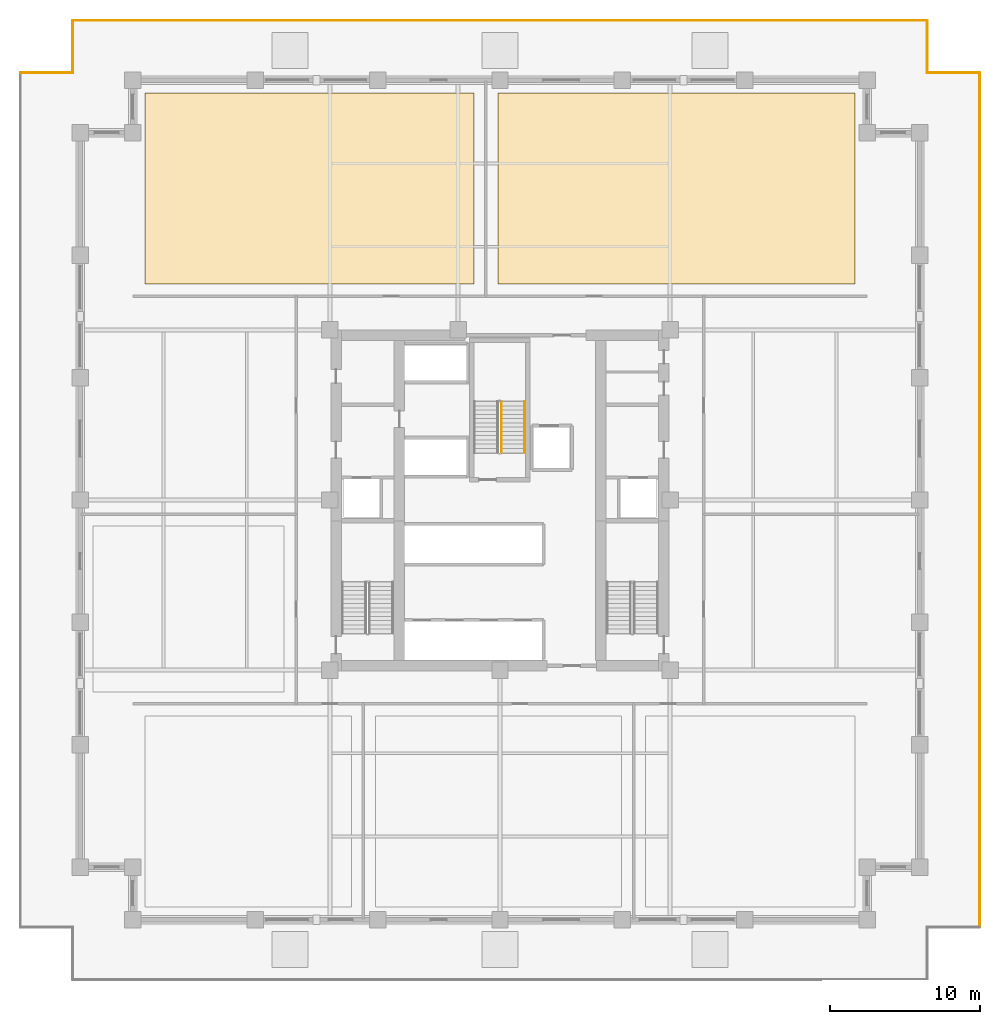
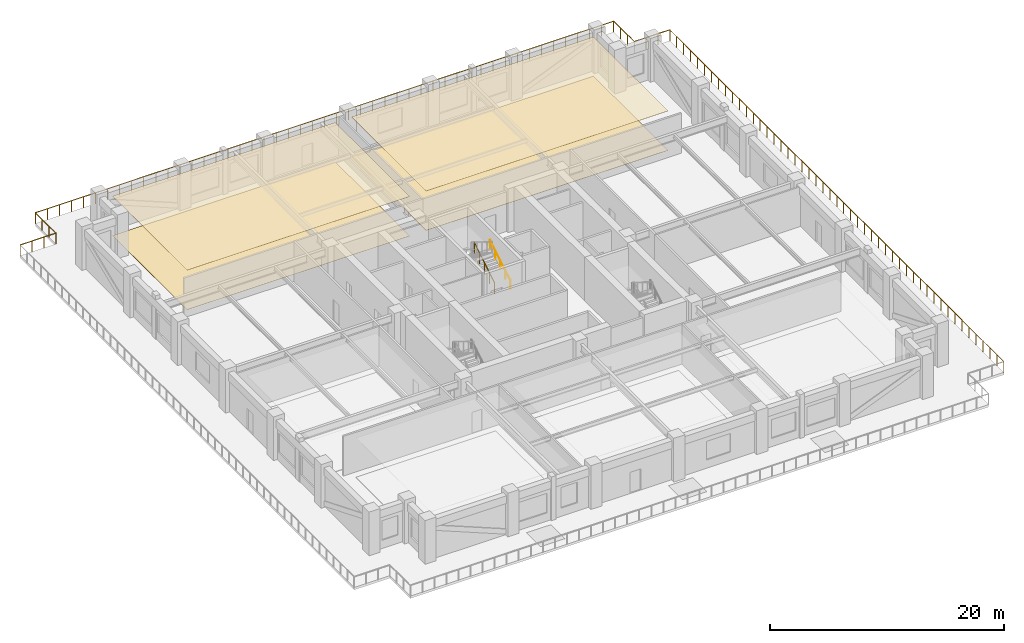
# One storey, part 13 of 13: 8 railings, 4 coverings.
"""IFC4 building model written with IfcOpenShell, lengths in metres."""

from ifc_helpers import new_model, si_unit, direction, frame, origin, origin_2d, place, context, subcontext, project, spatial, polyline, circle, outline, extrude, material, layer, layer_set, type_object, element, save


model = new_model("IFC4")

# Units and contexts
model_context = context("Model", 3, precision=1e-05, world=origin(), true_north=direction((0.0, 1.0)))
body_context = subcontext(model_context, "Body", "Model", "MODEL_VIEW")
ifc_project = project(units=[si_unit("LENGTHUNIT", "METRE"), si_unit("AREAUNIT", "SQUARE_METRE"), si_unit("VOLUMEUNIT", "CUBIC_METRE"), si_unit("PLANEANGLEUNIT", "RADIAN"), si_unit("MASSUNIT", "GRAM", prefix="KILO")], contexts=[model_context])

# Site, building, storey
site_placement = place(None, origin())
site = spatial("IfcSite", under=ifc_project, at=site_placement, CompositionType="ELEMENT")
building_placement = place(site_placement, origin())
building = spatial("IfcBuilding", under=site, at=building_placement, Name="Nhamokura Convention Tower", CompositionType="ELEMENT")
storey_placement = place(building_placement, frame((0.0, 0.0, 34.300048828125)))
storey = spatial("IfcBuildingStorey", under=building, at=storey_placement, Name="L06", CompositionType="ELEMENT", Elevation=34.300048828125)

# Coverings
ifc_material_1 = material(Name="Mineral-fibre acoustic ceiling tile", Category="gypsum")
ifc_layer_1 = layer(ifc_material_1, 0.02490234375)
ifc_layer_set_1 = layer_set([ifc_layer_1], Name="AcousticTileCeiling_25")
covering_type_1 = type_object("IfcCoveringType", Name="AcousticTileCeiling_25", PredefinedType="CEILING", material=ifc_layer_set_1)
covering_1_placement = place(storey_placement, frame((0.0, 0.0, 4.10498046875)))
element("IfcCovering", 1, at=covering_1_placement, inside=storey, type_object=covering_type_1, Name="L06 Suspended Ceiling 04", PredefinedType="CEILING", context=body_context, shape_type="SweptSolid", body=[
    extrude(outline(polyline([(8.300048828125, 46.39990234375), (30.25, 46.39990234375), (30.25, 59.139892578125), (8.300048828125, 59.139892578125), (8.300048828125, 46.39990234375)])), origin(), (0.0, 0.0, 1.0), 0.02490234375),
])
covering_2_placement = place(storey_placement, frame((0.0, 0.0, 4.10498046875)))
element("IfcCovering", 2, at=covering_2_placement, inside=storey, type_object=covering_type_1, Name="L06 Suspended Ceiling 05", PredefinedType="CEILING", context=body_context, shape_type="SweptSolid", body=[
    extrude(outline(polyline([(31.85009765625, 46.39990234375), (55.699951171875, 46.39990234375), (55.699951171875, 59.139892578125), (31.85009765625, 59.139892578125), (31.85009765625, 46.39990234375)])), origin(), (0.0, 0.0, 1.0), 0.02490234375),
])
ifc_material_2 = material(Name="Polished Sabana granite terrazzo", Category="masonry")
ifc_layer_2 = layer(ifc_material_2, 0.030029296875)
ifc_layer_set_2 = layer_set([ifc_layer_2], Name="SabanaTerrazzoFlooring_30")
covering_type_2 = type_object("IfcCoveringType", Name="SabanaTerrazzoFlooring_30", PredefinedType="FLOORING", material=ifc_layer_set_2)
covering_3_placement = place(storey_placement, origin())
element("IfcCovering", 3, at=covering_3_placement, inside=storey, type_object=covering_type_2, Name="L06 Finish Flooring 05", PredefinedType="FLOORING", context=body_context, shape_type="SweptSolid", body=[
    extrude(outline(polyline([(31.85009765625, 46.39990234375), (55.699951171875, 46.39990234375), (55.699951171875, 59.139892578125), (31.85009765625, 59.139892578125), (31.85009765625, 46.39990234375)])), origin(), (0.0, 0.0, 1.0), 0.030029296875),
])

# Railings
ifc_material_3 = material(Name="Anodised bronze stainless steel", Category="steel")
railing_type_1 = type_object("IfcRailingType", Name="StairWallHandrail_900", PredefinedType="HANDRAIL", material=ifc_material_3)
railing_1_placement = place(storey_placement, frame((33.64990234375, 35.14990234375, 0.175048828125)))
element("IfcRailing", 4, at=railing_1_placement, inside=storey, type_object=railing_type_1, Name="L06 ST-03 stair handrail 1", PredefinedType="HANDRAIL", context=body_context, shape_type="SweptSolid", body=[
    extrude(circle(Radius=0.02392578125, at=origin_2d()), frame((0.0, 0.0, 0.8759765625), z_axis=(0.0, 0.852198826108, 0.523218081473), x_axis=(-1.0, 0.0, 0.0)), (0.0, 0.0, 1.0), 4.013427734375),
    extrude(circle(Radius=0.02099609375, at=origin_2d()), origin(), (0.0, 0.0, 1.0), 0.851806640625),
    extrude(circle(Radius=0.02099609375, at=origin_2d()), frame((0.0, 0.85498046875, 0.52490234375)), (0.0, 0.0, 1.0), 0.851806640625),
    extrude(circle(Radius=0.02099609375, at=origin_2d()), frame((0.0, 1.7099609375, 1.0498046875)), (0.0, 0.0, 1.0), 0.851806640625),
    extrude(circle(Radius=0.02099609375, at=origin_2d()), frame((0.0, 2.565185546875, 1.574951171875)), (0.0, 0.0, 1.0), 0.851806640625),
    extrude(circle(Radius=0.02099609375, at=origin_2d()), frame((0.0, 3.420166015625, 2.099853515625)), (0.0, 0.0, 1.0), 0.851806640625),
])
ifc_material_4 = material(Name="Painted tubular steel", Category="steel")
railing_type_2 = type_object("IfcRailingType", Name="StairWellGuardrail_1150", PredefinedType="GUARDRAIL", material=ifc_material_4)
railing_2_placement = place(storey_placement, frame((32.10009765625, 35.14990234375, 0.175048828125)))
element("IfcRailing", 5, at=railing_2_placement, inside=storey, type_object=railing_type_2, Name="L06 ST-03 stair guard 1", PredefinedType="GUARDRAIL", context=body_context, shape_type="SweptSolid", body=[
    extrude(circle(Radius=0.02392578125, at=origin_2d()), frame((0.0, 0.0, 1.1259765625), z_axis=(0.0, 0.852198826108, 0.523218081473), x_axis=(-1.0, 0.0, 0.0)), (0.0, 0.0, 1.0), 4.013427734375),
    extrude(circle(Radius=0.02099609375, at=origin_2d()), origin(), (0.0, 0.0, 1.0), 1.101806640625),
    extrude(circle(Radius=0.02099609375, at=origin_2d()), frame((0.0, 0.85498046875, 0.52490234375)), (0.0, 0.0, 1.0), 1.101806640625),
    extrude(circle(Radius=0.02099609375, at=origin_2d()), frame((0.0, 1.7099609375, 1.0498046875)), (0.0, 0.0, 1.0), 1.101806640625),
    extrude(circle(Radius=0.02099609375, at=origin_2d()), frame((0.0, 2.565185546875, 1.574951171875)), (0.0, 0.0, 1.0), 1.101806640625),
    extrude(circle(Radius=0.02099609375, at=origin_2d()), frame((0.0, 3.420166015625, 2.099853515625)), (0.0, 0.0, 1.0), 1.101806640625),
])
ifc_material_5 = material(Name="Anodised bronze stainless steel", Category="steel")
railing_type_3 = type_object("IfcRailingType", Name="TerraceGuardrail_1150", PredefinedType="GUARDRAIL", material=ifc_material_5)
railing_3_placement = place(storey_placement, frame((64.0, 3.5, 0.0)))
element("IfcRailing", 6, at=railing_3_placement, inside=storey, type_object=railing_type_3, Name="L06 Perimeter Guardrail 04", PredefinedType="GUARDRAIL", context=body_context, shape_type="SweptSolid", body=[
    extrude(circle(Radius=0.02392578125, at=origin_2d()), frame((0.0, 0.0, 1.1259765625), z_axis=(0.0, 1.0, 0.0), x_axis=(-1.0, 0.0, 0.0)), (0.0, 0.0, 1.0), 57.0),
    extrude(circle(Radius=0.02099609375, at=origin_2d()), origin(), (0.0, 0.0, 1.0), 1.101806640625),
    extrude(circle(Radius=0.02099609375, at=origin_2d()), frame((0.0, 1.1875, 0.0)), (0.0, 0.0, 1.0), 1.101806640625),
    extrude(circle(Radius=0.02099609375, at=origin_2d()), frame((0.0, 2.375, 0.0)), (0.0, 0.0, 1.0), 1.101806640625),
    extrude(circle(Radius=0.02099609375, at=origin_2d()), frame((0.0, 3.5625, 0.0)), (0.0, 0.0, 1.0), 1.101806640625),
    extrude(circle(Radius=0.02099609375, at=origin_2d()), frame((0.0, 4.75, 0.0)), (0.0, 0.0, 1.0), 1.101806640625),
    extrude(circle(Radius=0.02099609375, at=origin_2d()), frame((0.0, 5.9375, 0.0)), (0.0, 0.0, 1.0), 1.101806640625),
    extrude(circle(Radius=0.02099609375, at=origin_2d()), frame((0.0, 7.125, 0.0)), (0.0, 0.0, 1.0), 1.101806640625),
    extrude(circle(Radius=0.02099609375, at=origin_2d()), frame((0.0, 8.3125, 0.0)), (0.0, 0.0, 1.0), 1.101806640625),
    extrude(circle(Radius=0.02099609375, at=origin_2d()), frame((0.0, 9.5, 0.0)), (0.0, 0.0, 1.0), 1.101806640625),
    extrude(circle(Radius=0.02099609375, at=origin_2d()), frame((0.0, 10.6875, 0.0)), (0.0, 0.0, 1.0), 1.101806640625),
    extrude(circle(Radius=0.02099609375, at=origin_2d()), frame((0.0, 11.875, 0.0)), (0.0, 0.0, 1.0), 1.101806640625),
    extrude(circle(Radius=0.02099609375, at=origin_2d()), frame((0.0, 13.0625, 0.0)), (0.0, 0.0, 1.0), 1.101806640625),
    extrude(circle(Radius=0.02099609375, at=origin_2d()), frame((0.0, 14.25, 0.0)), (0.0, 0.0, 1.0), 1.101806640625),
    extrude(circle(Radius=0.02099609375, at=origin_2d()), frame((0.0, 15.4375, 0.0)), (0.0, 0.0, 1.0), 1.101806640625),
    extrude(circle(Radius=0.02099609375, at=origin_2d()), frame((0.0, 16.625, 0.0)), (0.0, 0.0, 1.0), 1.101806640625),
    extrude(circle(Radius=0.02099609375, at=origin_2d()), frame((0.0, 17.8125, 0.0)), (0.0, 0.0, 1.0), 1.101806640625),
    extrude(circle(Radius=0.02099609375, at=origin_2d()), frame((0.0, 19.0, 0.0)), (0.0, 0.0, 1.0), 1.101806640625),
    extrude(circle(Radius=0.02099609375, at=origin_2d()), frame((0.0, 20.1875, 0.0)), (0.0, 0.0, 1.0), 1.101806640625),
    extrude(circle(Radius=0.02099609375, at=origin_2d()), frame((0.0, 21.375, 0.0)), (0.0, 0.0, 1.0), 1.101806640625),
    extrude(circle(Radius=0.02099609375, at=origin_2d()), frame((0.0, 22.5625, 0.0)), (0.0, 0.0, 1.0), 1.101806640625),
    extrude(circle(Radius=0.02099609375, at=origin_2d()), frame((0.0, 23.75, 0.0)), (0.0, 0.0, 1.0), 1.101806640625),
    extrude(circle(Radius=0.02099609375, at=origin_2d()), frame((0.0, 24.9375, 0.0)), (0.0, 0.0, 1.0), 1.101806640625),
    extrude(circle(Radius=0.02099609375, at=origin_2d()), frame((0.0, 26.125, 0.0)), (0.0, 0.0, 1.0), 1.101806640625),
    extrude(circle(Radius=0.02099609375, at=origin_2d()), frame((0.0, 27.3125, 0.0)), (0.0, 0.0, 1.0), 1.101806640625),
    extrude(circle(Radius=0.02099609375, at=origin_2d()), frame((0.0, 28.5, 0.0)), (0.0, 0.0, 1.0), 1.101806640625),
    extrude(circle(Radius=0.02099609375, at=origin_2d()), frame((0.0, 29.6875, 0.0)), (0.0, 0.0, 1.0), 1.101806640625),
    extrude(circle(Radius=0.02099609375, at=origin_2d()), frame((0.0, 30.875, 0.0)), (0.0, 0.0, 1.0), 1.101806640625),
    extrude(circle(Radius=0.02099609375, at=origin_2d()), frame((0.0, 32.0625, 0.0)), (0.0, 0.0, 1.0), 1.101806640625),
    extrude(circle(Radius=0.02099609375, at=origin_2d()), frame((0.0, 33.25, 0.0)), (0.0, 0.0, 1.0), 1.101806640625),
    extrude(circle(Radius=0.02099609375, at=origin_2d()), frame((0.0, 34.4375, 0.0)), (0.0, 0.0, 1.0), 1.101806640625),
    extrude(circle(Radius=0.02099609375, at=origin_2d()), frame((0.0, 35.625, 0.0)), (0.0, 0.0, 1.0), 1.101806640625),
    extrude(circle(Radius=0.02099609375, at=origin_2d()), frame((0.0, 36.8125, 0.0)), (0.0, 0.0, 1.0), 1.101806640625),
    extrude(circle(Radius=0.02099609375, at=origin_2d()), frame((0.0, 38.0, 0.0)), (0.0, 0.0, 1.0), 1.101806640625),
    extrude(circle(Radius=0.02099609375, at=origin_2d()), frame((0.0, 39.1875, 0.0)), (0.0, 0.0, 1.0), 1.101806640625),
    extrude(circle(Radius=0.02099609375, at=origin_2d()), frame((0.0, 40.375, 0.0)), (0.0, 0.0, 1.0), 1.101806640625),
    extrude(circle(Radius=0.02099609375, at=origin_2d()), frame((0.0, 41.5625, 0.0)), (0.0, 0.0, 1.0), 1.101806640625),
    extrude(circle(Radius=0.02099609375, at=origin_2d()), frame((0.0, 42.75, 0.0)), (0.0, 0.0, 1.0), 1.101806640625),
    extrude(circle(Radius=0.02099609375, at=origin_2d()), frame((0.0, 43.9375, 0.0)), (0.0, 0.0, 1.0), 1.101806640625),
    extrude(circle(Radius=0.02099609375, at=origin_2d()), frame((0.0, 45.125, 0.0)), (0.0, 0.0, 1.0), 1.101806640625),
    extrude(circle(Radius=0.02099609375, at=origin_2d()), frame((0.0, 46.3125, 0.0)), (0.0, 0.0, 1.0), 1.101806640625),
    extrude(circle(Radius=0.02099609375, at=origin_2d()), frame((0.0, 47.5, 0.0)), (0.0, 0.0, 1.0), 1.101806640625),
    extrude(circle(Radius=0.02099609375, at=origin_2d()), frame((0.0, 48.6875, 0.0)), (0.0, 0.0, 1.0), 1.101806640625),
    extrude(circle(Radius=0.02099609375, at=origin_2d()), frame((0.0, 49.875, 0.0)), (0.0, 0.0, 1.0), 1.101806640625),
    extrude(circle(Radius=0.02099609375, at=origin_2d()), frame((0.0, 51.0625, 0.0)), (0.0, 0.0, 1.0), 1.101806640625),
    extrude(circle(Radius=0.02099609375, at=origin_2d()), frame((0.0, 52.25, 0.0)), (0.0, 0.0, 1.0), 1.101806640625),
    extrude(circle(Radius=0.02099609375, at=origin_2d()), frame((0.0, 53.4375, 0.0)), (0.0, 0.0, 1.0), 1.101806640625),
    extrude(circle(Radius=0.02099609375, at=origin_2d()), frame((0.0, 54.625, 0.0)), (0.0, 0.0, 1.0), 1.101806640625),
    extrude(circle(Radius=0.02099609375, at=origin_2d()), frame((0.0, 55.8125, 0.0)), (0.0, 0.0, 1.0), 1.101806640625),
    extrude(circle(Radius=0.02099609375, at=origin_2d()), frame((0.0, 57.0, 0.0)), (0.0, 0.0, 1.0), 1.101806640625),
])
railing_4_placement = place(storey_placement, frame((64.0, 60.5, 0.0)))
element("IfcRailing", 7, at=railing_4_placement, inside=storey, type_object=railing_type_3, Name="L06 Perimeter Guardrail 05", PredefinedType="GUARDRAIL", context=body_context, shape_type="SweptSolid", body=[
    extrude(circle(Radius=0.02392578125, at=origin_2d()), frame((0.0, 0.0, 1.1259765625), z_axis=(-1.0, 0.0, 0.0), x_axis=(0.0, -1.0, 0.0)), (0.0, 0.0, 1.0), 3.5),
    extrude(circle(Radius=0.02099609375, at=origin_2d()), origin(), (0.0, 0.0, 1.0), 1.101806640625),
    extrude(circle(Radius=0.02099609375, at=origin_2d()), frame((-1.166748046875, 0.0, 0.0)), (0.0, 0.0, 1.0), 1.101806640625),
    extrude(circle(Radius=0.02099609375, at=origin_2d()), frame((-2.333251953125, 0.0, 0.0)), (0.0, 0.0, 1.0), 1.101806640625),
    extrude(circle(Radius=0.02099609375, at=origin_2d()), frame((-3.5, 0.0, 0.0)), (0.0, 0.0, 1.0), 1.101806640625),
])
railing_5_placement = place(storey_placement, frame((60.5, 60.5, 0.0)))
element("IfcRailing", 8, at=railing_5_placement, inside=storey, type_object=railing_type_3, Name="L06 Perimeter Guardrail 06", PredefinedType="GUARDRAIL", context=body_context, shape_type="SweptSolid", body=[
    extrude(circle(Radius=0.02392578125, at=origin_2d()), frame((0.0, 0.0, 1.1259765625), z_axis=(0.0, 1.0, 0.0), x_axis=(-1.0, 0.0, 0.0)), (0.0, 0.0, 1.0), 3.5),
    extrude(circle(Radius=0.02099609375, at=origin_2d()), origin(), (0.0, 0.0, 1.0), 1.101806640625),
    extrude(circle(Radius=0.02099609375, at=origin_2d()), frame((0.0, 1.166748046875, 0.0)), (0.0, 0.0, 1.0), 1.101806640625),
    extrude(circle(Radius=0.02099609375, at=origin_2d()), frame((0.0, 2.333251953125, 0.0)), (0.0, 0.0, 1.0), 1.101806640625),
    extrude(circle(Radius=0.02099609375, at=origin_2d()), frame((0.0, 3.5, 0.0)), (0.0, 0.0, 1.0), 1.101806640625),
])
railing_6_placement = place(storey_placement, frame((60.5, 64.0, 0.0)))
element("IfcRailing", 9, at=railing_6_placement, inside=storey, type_object=railing_type_3, Name="L06 Perimeter Guardrail 07", PredefinedType="GUARDRAIL", context=body_context, shape_type="SweptSolid", body=[
    extrude(circle(Radius=0.02392578125, at=origin_2d()), frame((0.0, 0.0, 1.1259765625), z_axis=(-1.0, 0.0, 0.0), x_axis=(0.0, -1.0, 0.0)), (0.0, 0.0, 1.0), 57.0),
    extrude(circle(Radius=0.02099609375, at=origin_2d()), origin(), (0.0, 0.0, 1.0), 1.101806640625),
    extrude(circle(Radius=0.02099609375, at=origin_2d()), frame((-1.1875, 0.0, 0.0)), (0.0, 0.0, 1.0), 1.101806640625),
    extrude(circle(Radius=0.02099609375, at=origin_2d()), frame((-2.375, 0.0, 0.0)), (0.0, 0.0, 1.0), 1.101806640625),
    extrude(circle(Radius=0.02099609375, at=origin_2d()), frame((-3.5625, 0.0, 0.0)), (0.0, 0.0, 1.0), 1.101806640625),
    extrude(circle(Radius=0.02099609375, at=origin_2d()), frame((-4.75, 0.0, 0.0)), (0.0, 0.0, 1.0), 1.101806640625),
    extrude(circle(Radius=0.02099609375, at=origin_2d()), frame((-5.9375, 0.0, 0.0)), (0.0, 0.0, 1.0), 1.101806640625),
    extrude(circle(Radius=0.02099609375, at=origin_2d()), frame((-7.125, 0.0, 0.0)), (0.0, 0.0, 1.0), 1.101806640625),
    extrude(circle(Radius=0.02099609375, at=origin_2d()), frame((-8.3125, 0.0, 0.0)), (0.0, 0.0, 1.0), 1.101806640625),
    extrude(circle(Radius=0.02099609375, at=origin_2d()), frame((-9.5, 0.0, 0.0)), (0.0, 0.0, 1.0), 1.101806640625),
    extrude(circle(Radius=0.02099609375, at=origin_2d()), frame((-10.6875, 0.0, 0.0)), (0.0, 0.0, 1.0), 1.101806640625),
    extrude(circle(Radius=0.02099609375, at=origin_2d()), frame((-11.875, 0.0, 0.0)), (0.0, 0.0, 1.0), 1.101806640625),
    extrude(circle(Radius=0.02099609375, at=origin_2d()), frame((-13.0625, 0.0, 0.0)), (0.0, 0.0, 1.0), 1.101806640625),
    extrude(circle(Radius=0.02099609375, at=origin_2d()), frame((-14.25, 0.0, 0.0)), (0.0, 0.0, 1.0), 1.101806640625),
    extrude(circle(Radius=0.02099609375, at=origin_2d()), frame((-15.4375, 0.0, 0.0)), (0.0, 0.0, 1.0), 1.101806640625),
    extrude(circle(Radius=0.02099609375, at=origin_2d()), frame((-16.625, 0.0, 0.0)), (0.0, 0.0, 1.0), 1.101806640625),
    extrude(circle(Radius=0.02099609375, at=origin_2d()), frame((-17.8125, 0.0, 0.0)), (0.0, 0.0, 1.0), 1.101806640625),
    extrude(circle(Radius=0.02099609375, at=origin_2d()), frame((-19.0, 0.0, 0.0)), (0.0, 0.0, 1.0), 1.101806640625),
    extrude(circle(Radius=0.02099609375, at=origin_2d()), frame((-20.1875, 0.0, 0.0)), (0.0, 0.0, 1.0), 1.101806640625),
    extrude(circle(Radius=0.02099609375, at=origin_2d()), frame((-21.375, 0.0, 0.0)), (0.0, 0.0, 1.0), 1.101806640625),
    extrude(circle(Radius=0.02099609375, at=origin_2d()), frame((-22.5625, 0.0, 0.0)), (0.0, 0.0, 1.0), 1.101806640625),
    extrude(circle(Radius=0.02099609375, at=origin_2d()), frame((-23.75, 0.0, 0.0)), (0.0, 0.0, 1.0), 1.101806640625),
    extrude(circle(Radius=0.02099609375, at=origin_2d()), frame((-24.9375, 0.0, 0.0)), (0.0, 0.0, 1.0), 1.101806640625),
    extrude(circle(Radius=0.02099609375, at=origin_2d()), frame((-26.125, 0.0, 0.0)), (0.0, 0.0, 1.0), 1.101806640625),
    extrude(circle(Radius=0.02099609375, at=origin_2d()), frame((-27.3125, 0.0, 0.0)), (0.0, 0.0, 1.0), 1.101806640625),
    extrude(circle(Radius=0.02099609375, at=origin_2d()), frame((-28.5, 0.0, 0.0)), (0.0, 0.0, 1.0), 1.101806640625),
    extrude(circle(Radius=0.02099609375, at=origin_2d()), frame((-29.6875, 0.0, 0.0)), (0.0, 0.0, 1.0), 1.101806640625),
    extrude(circle(Radius=0.02099609375, at=origin_2d()), frame((-30.875, 0.0, 0.0)), (0.0, 0.0, 1.0), 1.101806640625),
    extrude(circle(Radius=0.02099609375, at=origin_2d()), frame((-32.0625, 0.0, 0.0)), (0.0, 0.0, 1.0), 1.101806640625),
    extrude(circle(Radius=0.02099609375, at=origin_2d()), frame((-33.25, 0.0, 0.0)), (0.0, 0.0, 1.0), 1.101806640625),
    extrude(circle(Radius=0.02099609375, at=origin_2d()), frame((-34.4375, 0.0, 0.0)), (0.0, 0.0, 1.0), 1.101806640625),
    extrude(circle(Radius=0.02099609375, at=origin_2d()), frame((-35.625, 0.0, 0.0)), (0.0, 0.0, 1.0), 1.101806640625),
    extrude(circle(Radius=0.02099609375, at=origin_2d()), frame((-36.8125, 0.0, 0.0)), (0.0, 0.0, 1.0), 1.101806640625),
    extrude(circle(Radius=0.02099609375, at=origin_2d()), frame((-38.0, 0.0, 0.0)), (0.0, 0.0, 1.0), 1.101806640625),
    extrude(circle(Radius=0.02099609375, at=origin_2d()), frame((-39.1875, 0.0, 0.0)), (0.0, 0.0, 1.0), 1.101806640625),
    extrude(circle(Radius=0.02099609375, at=origin_2d()), frame((-40.375, 0.0, 0.0)), (0.0, 0.0, 1.0), 1.101806640625),
    extrude(circle(Radius=0.02099609375, at=origin_2d()), frame((-41.5625, 0.0, 0.0)), (0.0, 0.0, 1.0), 1.101806640625),
    extrude(circle(Radius=0.02099609375, at=origin_2d()), frame((-42.75, 0.0, 0.0)), (0.0, 0.0, 1.0), 1.101806640625),
    extrude(circle(Radius=0.02099609375, at=origin_2d()), frame((-43.9375, 0.0, 0.0)), (0.0, 0.0, 1.0), 1.101806640625),
    extrude(circle(Radius=0.02099609375, at=origin_2d()), frame((-45.125, 0.0, 0.0)), (0.0, 0.0, 1.0), 1.101806640625),
    extrude(circle(Radius=0.02099609375, at=origin_2d()), frame((-46.3125, 0.0, 0.0)), (0.0, 0.0, 1.0), 1.101806640625),
    extrude(circle(Radius=0.02099609375, at=origin_2d()), frame((-47.5, 0.0, 0.0)), (0.0, 0.0, 1.0), 1.101806640625),
    extrude(circle(Radius=0.02099609375, at=origin_2d()), frame((-48.6875, 0.0, 0.0)), (0.0, 0.0, 1.0), 1.101806640625),
    extrude(circle(Radius=0.02099609375, at=origin_2d()), frame((-49.875, 0.0, 0.0)), (0.0, 0.0, 1.0), 1.101806640625),
    extrude(circle(Radius=0.02099609375, at=origin_2d()), frame((-51.0625, 0.0, 0.0)), (0.0, 0.0, 1.0), 1.101806640625),
    extrude(circle(Radius=0.02099609375, at=origin_2d()), frame((-52.25, 0.0, 0.0)), (0.0, 0.0, 1.0), 1.101806640625),
    extrude(circle(Radius=0.02099609375, at=origin_2d()), frame((-53.4375, 0.0, 0.0)), (0.0, 0.0, 1.0), 1.101806640625),
    extrude(circle(Radius=0.02099609375, at=origin_2d()), frame((-54.625, 0.0, 0.0)), (0.0, 0.0, 1.0), 1.101806640625),
    extrude(circle(Radius=0.02099609375, at=origin_2d()), frame((-55.8125, 0.0, 0.0)), (0.0, 0.0, 1.0), 1.101806640625),
    extrude(circle(Radius=0.02099609375, at=origin_2d()), frame((-57.0, 0.0, 0.0)), (0.0, 0.0, 1.0), 1.101806640625),
])
railing_7_placement = place(storey_placement, frame((3.5, 64.0, 0.0)))
element("IfcRailing", 10, at=railing_7_placement, inside=storey, type_object=railing_type_3, Name="L06 Perimeter Guardrail 08", PredefinedType="GUARDRAIL", context=body_context, shape_type="SweptSolid", body=[
    extrude(circle(Radius=0.02392578125, at=origin_2d()), frame((0.0, 0.0, 1.1259765625), z_axis=(0.0, -1.0, 0.0), x_axis=(1.0, 0.0, 0.0)), (0.0, 0.0, 1.0), 3.5),
    extrude(circle(Radius=0.02099609375, at=origin_2d()), origin(), (0.0, 0.0, 1.0), 1.101806640625),
    extrude(circle(Radius=0.02099609375, at=origin_2d()), frame((0.0, -1.166748046875, 0.0)), (0.0, 0.0, 1.0), 1.101806640625),
    extrude(circle(Radius=0.02099609375, at=origin_2d()), frame((0.0, -2.333251953125, 0.0)), (0.0, 0.0, 1.0), 1.101806640625),
    extrude(circle(Radius=0.02099609375, at=origin_2d()), frame((0.0, -3.5, 0.0)), (0.0, 0.0, 1.0), 1.101806640625),
])
railing_8_placement = place(storey_placement, frame((3.5, 60.5, 0.0)))
element("IfcRailing", 11, at=railing_8_placement, inside=storey, type_object=railing_type_3, Name="L06 Perimeter Guardrail 09", PredefinedType="GUARDRAIL", context=body_context, shape_type="SweptSolid", body=[
    extrude(circle(Radius=0.02392578125, at=origin_2d()), frame((0.0, 0.0, 1.1259765625), z_axis=(-1.0, 0.0, 0.0), x_axis=(0.0, -1.0, 0.0)), (0.0, 0.0, 1.0), 3.5),
    extrude(circle(Radius=0.02099609375, at=origin_2d()), origin(), (0.0, 0.0, 1.0), 1.101806640625),
    extrude(circle(Radius=0.02099609375, at=origin_2d()), frame((-1.166748046875, 0.0, 0.0)), (0.0, 0.0, 1.0), 1.101806640625),
    extrude(circle(Radius=0.02099609375, at=origin_2d()), frame((-2.333251953125, 0.0, 0.0)), (0.0, 0.0, 1.0), 1.101806640625),
    extrude(circle(Radius=0.02099609375, at=origin_2d()), frame((-3.5, 0.0, 0.0)), (0.0, 0.0, 1.0), 1.101806640625),
])

# Covering
ifc_material_6 = material(Name="Acoustic woven hospitality carpet", Category="wood")
ifc_layer_3 = layer(ifc_material_6, 0.014892578125)
ifc_layer_set_3 = layer_set([ifc_layer_3], Name="WovenCarpetFlooring_15")
covering_type_3 = type_object("IfcCoveringType", Name="WovenCarpetFlooring_15", PredefinedType="FLOORING", material=ifc_layer_set_3)
covering_4_placement = place(storey_placement, origin())
element("IfcCovering", 12, at=covering_4_placement, inside=storey, type_object=covering_type_3, Name="L06 Finish Flooring 04", PredefinedType="FLOORING", context=body_context, shape_type="SweptSolid", body=[
    extrude(outline(polyline([(8.300048828125, 46.39990234375), (30.25, 46.39990234375), (30.25, 59.139892578125), (8.300048828125, 59.139892578125), (8.300048828125, 46.39990234375)])), origin(), (0.0, 0.0, 1.0), 0.014892578125),
])

save(model, "model.ifc")
